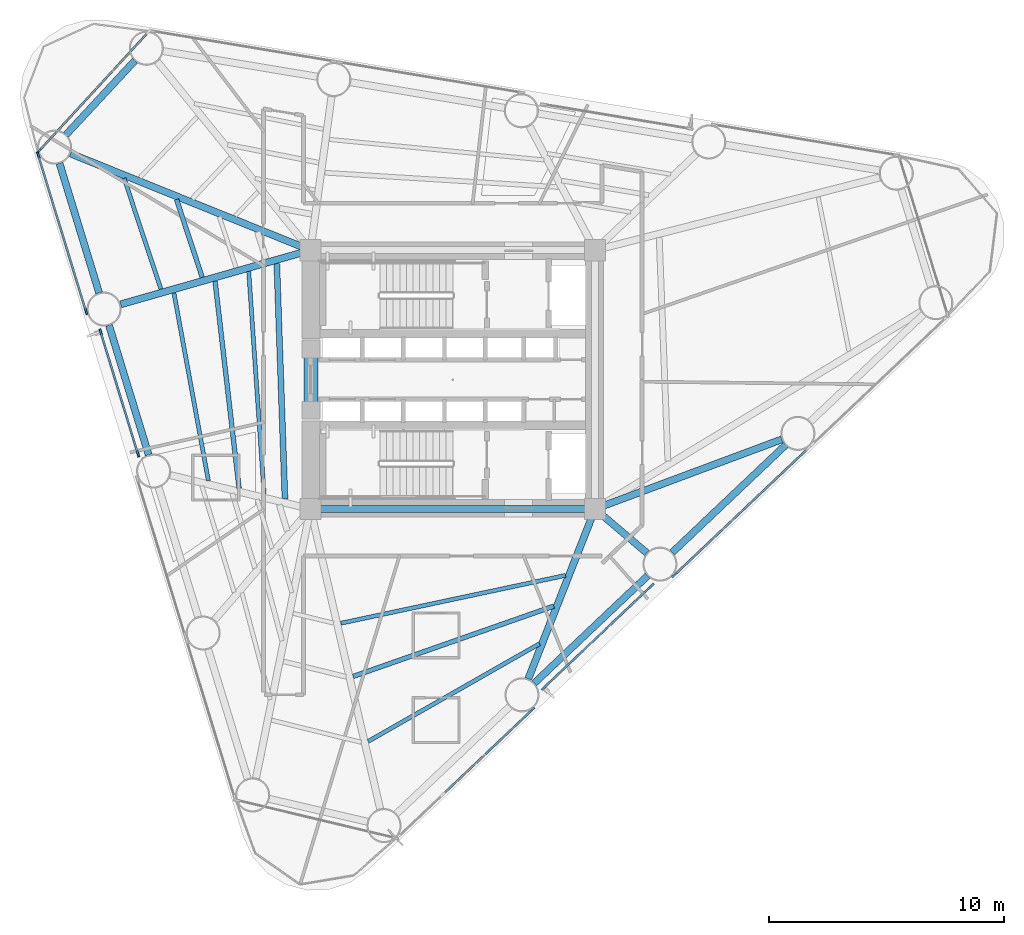
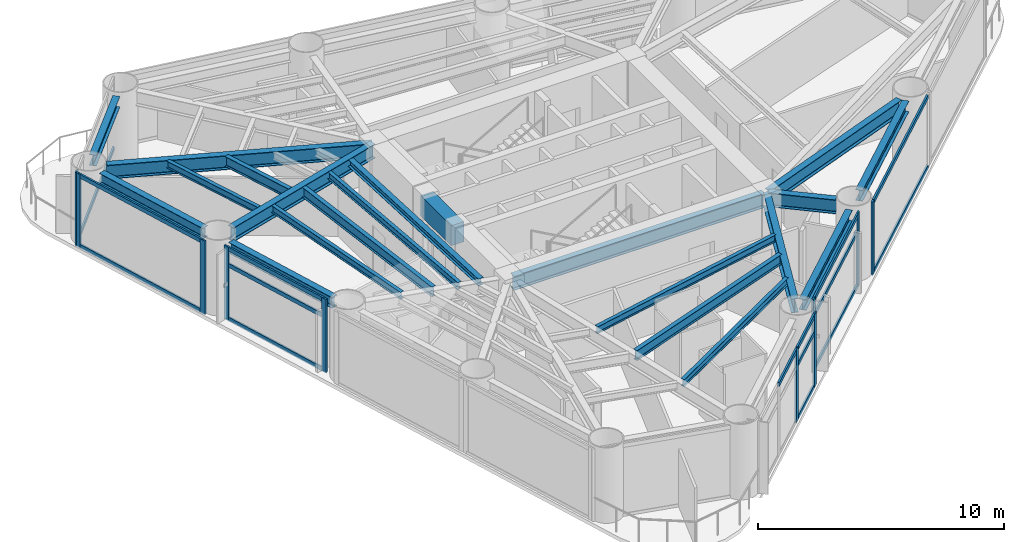
# One storey, part 2 of 10: 25 members, 21 beams, 6 elements without a shape of their own.
"""IFC4 building model written with IfcOpenShell, lengths in metres."""

from ifc_helpers import new_model, si_unit, direction, frame, origin, origin_2d, place, context, subcontext, project, spatial, rectangle, i_section, extrude, source, transform, mapped, material, layer, layer_set, material_profile, profile_set, type_object, element, aggregate, save


model = new_model("IFC4")

# Units and contexts
model_context = context("Model", 3, precision=1e-05, world=origin(), true_north=direction((0.0, 1.0)))
body_context = subcontext(model_context, "Body", "Model", "MODEL_VIEW")
ifc_project = project(units=[si_unit("LENGTHUNIT", "METRE"), si_unit("AREAUNIT", "SQUARE_METRE"), si_unit("VOLUMEUNIT", "CUBIC_METRE"), si_unit("PLANEANGLEUNIT", "RADIAN"), si_unit("MASSUNIT", "GRAM", prefix="KILO")], contexts=[model_context])

# Site, building, storey
site_placement = place(None, origin())
site = spatial("IfcSite", under=ifc_project, at=site_placement, CompositionType="ELEMENT")
building_placement = place(site_placement, origin())
building = spatial("IfcBuilding", under=site, at=building_placement, Name="Yunling Apex Tower", CompositionType="ELEMENT")
storey_placement = place(building_placement, frame((0.0, 0.0, 89.89990234375)))
storey = spatial("IfcBuildingStorey", under=building, at=storey_placement, Name="L22", CompositionType="ELEMENT", Elevation=89.89990234375)

# Beams
ifc_material_1 = material(Name="Concrete C60", Category="concrete")
ifc_material_profile_1 = material_profile(ifc_material_1, rectangle(XDim=0.60009765625, YDim=1.0, at=origin_2d()))
ifc_profile_set_1 = profile_set([ifc_material_profile_1], Name="Concrete C60")
beam_type_1 = type_object("IfcBeamType", Name="BC-CPL-1", PredefinedType="BEAM", material=ifc_profile_set_1)
shared_shape_1 = source(origin(), body_context, "Body", "SweptSolid", [
    extrude(rectangle(XDim=0.60009765625, YDim=1.0, at=origin_2d()), origin(), (0.0, 0.0, 1.0), 2.5),
])
beam_1_placement = place(storey_placement, frame((-6.02490234375, -1.25, 3.065185546875), z_axis=(0.0, 1.0, 0.0), x_axis=(-1.0, 0.0, 0.0)))
element("IfcBeam", 1, at=beam_1_placement, inside=storey, type_object=beam_type_1, Name="L22 Core West Portal Coupling Beam", PredefinedType="BEAM", context=body_context, shape_type="MappedRepresentation", body=[
    mapped(shared_shape_1, transform((0.0, 0.0, 0.0), scale=1.0)),
])
ifc_material_2 = material(Name="Steel Q355B", Category="steel")
ifc_material_profile_2 = material_profile(ifc_material_2, i_section(OverallWidth=0.300048828125, OverallDepth=0.699951171875, WebThickness=0.012939453125, FlangeThickness=0.02392578125, FilletRadius=0.02587890625, at=origin_2d()))
ifc_profile_set_2 = profile_set([ifc_material_profile_2], Name="Steel Q355B")
beam_type_2 = type_object("IfcBeamType", Name="BG-PRI-3", PredefinedType="USERDEFINED", material=ifc_profile_set_2)
shared_shape_2 = source(origin(), body_context, "Body", "SweptSolid", [
    extrude(i_section(OverallWidth=0.300048828125, OverallDepth=0.699951171875, WebThickness=0.012939453125, FlangeThickness=0.02392578125, FilletRadius=0.02587890625, at=origin_2d()), origin(), (0.0, 0.0, 1.0), 11.7998046875),
])
beam_2_placement = place(storey_placement, frame((-5.89990234375, -5.5, 3.215087890625), z_axis=(1.0, 0.0, 0.0), x_axis=(0.0, 1.0, 0.0)))
element("IfcBeam", 2, at=beam_2_placement, inside=storey, type_object=beam_type_2, Name="L22 Core Ring Tie Beam 1", ObjectType="GIRDER", PredefinedType="USERDEFINED", context=body_context, shape_type="MappedRepresentation", body=[
    mapped(shared_shape_2, transform((0.0, 0.0, 0.0), scale=1.0)),
])
ifc_material_profile_3 = material_profile(ifc_material_2, i_section(OverallWidth=0.300048828125, OverallDepth=0.5400390625, WebThickness=0.011962890625, FlangeThickness=0.02001953125, FilletRadius=0.02392578125, at=origin_2d()))
ifc_profile_set_3 = profile_set([ifc_material_profile_3], Name="Steel Q355B")
beam_type_3 = type_object("IfcBeamType", Name="BP-SPN-1", PredefinedType="SPANDREL", material=ifc_profile_set_3)
shared_shape_3 = source(origin(), body_context, "Body", "SweptSolid", [
    extrude(i_section(OverallWidth=0.300048828125, OverallDepth=0.5400390625, WebThickness=0.011962890625, FlangeThickness=0.02001953125, FilletRadius=0.02392578125, at=origin_2d()), origin(), (0.0, 0.0, 1.0), 6.6416015625),
])
for number, where, z_axis, x_axis, name in (
    (3, (3.465087890625, -12.90771484375, 3.295166015625), (0.725873473547, 0.687828249203, 0.0), (-0.687828249203, 0.725873473547, 0.0), "L22 Perimeter Spandrel Beam 2"),
    (4, (9.330078125, -7.35009765625, 3.295166015625), (0.72585608204, 0.687846602205, 0.0), (-0.687846602205, 0.72585608204, 0.0), "L22 Perimeter Spandrel Beam 3"),
):
    element("IfcBeam", number, at=place(storey_placement, frame(where, z_axis=z_axis, x_axis=x_axis)), inside=storey, type_object=beam_type_3, Name=name, PredefinedType="SPANDREL", context=body_context, shape_type="MappedRepresentation", body=[
        mapped(shared_shape_3, transform((0.0, 0.0, 0.0), scale=1.0)),
    ])
shared_shape_4 = source(origin(), body_context, "Body", "SweptSolid", [
    extrude(i_section(OverallWidth=0.300048828125, OverallDepth=0.5400390625, WebThickness=0.011962890625, FlangeThickness=0.02001953125, FilletRadius=0.02392578125, at=origin_2d()), origin(), (0.0, 0.0, 1.0), 4.296875),
])
beam_3_placement = place(storey_placement, frame((-13.513671875, 13.55810546875, 3.295166015625), z_axis=(-0.680634144105, -0.732623478929, 0.0), x_axis=(0.732623478929, -0.680634144105, 0.0)))
element("IfcBeam", 5, at=beam_3_placement, inside=storey, type_object=beam_type_3, Name="L22 Perimeter Spandrel Beam 10", PredefinedType="SPANDREL", context=body_context, shape_type="MappedRepresentation", body=[
    mapped(shared_shape_4, transform((0.0, 0.0, 0.0), scale=1.0)),
])
shared_shape_5 = source(origin(), body_context, "Body", "SweptSolid", [
    extrude(i_section(OverallWidth=0.300048828125, OverallDepth=0.5400390625, WebThickness=0.011962890625, FlangeThickness=0.02001953125, FilletRadius=0.02392578125, at=origin_2d()), origin(), (0.0, 0.0, 1.0), 5.76220703125),
])
for number, where, z_axis, x_axis, name in (
    (6, (-16.71728515625, 9.19580078125, 3.295166015625), (0.292346626925, -0.956312422656, 0.0), (0.956312422656, 0.292346626925, 0.0), "L22 Perimeter Spandrel Beam 11"),
    (7, (-14.6123046875, 2.31005859375, 3.295166015625), (0.292385374143, -0.956300576695, 0.0), (0.956300576695, 0.292385374143, 0.0), "L22 Perimeter Spandrel Beam 12"),
):
    element("IfcBeam", number, at=place(storey_placement, frame(where, z_axis=z_axis, x_axis=x_axis)), inside=storey, type_object=beam_type_3, Name=name, PredefinedType="SPANDREL", context=body_context, shape_type="MappedRepresentation", body=[
        mapped(shared_shape_5, transform((0.0, 0.0, 0.0), scale=1.0)),
    ])
shared_shape_6 = source(origin(), body_context, "Body", "SweptSolid", [
    extrude(i_section(OverallWidth=0.300048828125, OverallDepth=0.699951171875, WebThickness=0.012939453125, FlangeThickness=0.02392578125, FilletRadius=0.02587890625, at=origin_2d()), origin(), (0.0, 0.0, 1.0), 7.67822265625),
])
beam_4_placement = place(storey_placement, frame((3.21142578125, -12.72021484375, 3.215087890625), z_axis=(0.365885513893, 0.930659868439, 0.0), x_axis=(-0.930659868439, 0.365885513893, 0.0)))
element("IfcBeam", 8, at=beam_4_placement, inside=storey, type_object=beam_type_2, Name="L22 Radial Primary Girder R02", ObjectType="GIRDER", PredefinedType="USERDEFINED", context=body_context, shape_type="MappedRepresentation", body=[
    mapped(shared_shape_6, transform((0.0, 0.0, 0.0), scale=1.0)),
])
shared_shape_7 = source(origin(), body_context, "Body", "SweptSolid", [
    extrude(i_section(OverallWidth=0.300048828125, OverallDepth=0.699951171875, WebThickness=0.012939453125, FlangeThickness=0.02392578125, FilletRadius=0.02587890625, at=origin_2d()), origin(), (0.0, 0.0, 1.0), 2.80712890625),
])
beam_5_placement = place(storey_placement, frame((8.24951171875, -7.3701171875, 3.215087890625), z_axis=(-0.761816983267, 0.647792315489, 0.0), x_axis=(-0.647792315489, -0.761816983267, 0.0)))
element("IfcBeam", 9, at=beam_5_placement, inside=storey, type_object=beam_type_2, Name="L22 Radial Primary Girder R03", ObjectType="GIRDER", PredefinedType="USERDEFINED", context=body_context, shape_type="MappedRepresentation", body=[
    mapped(shared_shape_7, transform((0.0, 0.0, 0.0), scale=1.0)),
])
shared_shape_8 = source(origin(), body_context, "Body", "SweptSolid", [
    extrude(i_section(OverallWidth=0.300048828125, OverallDepth=0.699951171875, WebThickness=0.012939453125, FlangeThickness=0.02392578125, FilletRadius=0.02587890625, at=origin_2d()), origin(), (0.0, 0.0, 1.0), 8.388916015625),
])
beam_6_placement = place(storey_placement, frame((13.98583984375, -2.54296875, 3.215087890625), z_axis=(-0.937056723422, -0.349177171489, 0.0), x_axis=(0.349177171489, -0.937056723422, 0.0)))
element("IfcBeam", 10, at=beam_6_placement, inside=storey, type_object=beam_type_2, Name="L22 Radial Primary Girder R04", ObjectType="GIRDER", PredefinedType="USERDEFINED", context=body_context, shape_type="MappedRepresentation", body=[
    mapped(shared_shape_8, transform((0.0, 0.0, 0.0), scale=1.0)),
])
shared_shape_9 = source(origin(), body_context, "Body", "SweptSolid", [
    extrude(i_section(OverallWidth=0.300048828125, OverallDepth=0.699951171875, WebThickness=0.012939453125, FlangeThickness=0.02392578125, FilletRadius=0.02587890625, at=origin_2d()), origin(), (0.0, 0.0, 1.0), 10.91455078125),
])
beam_7_placement = place(storey_placement, frame((-16.247802734375, 9.609375, 3.215087890625), z_axis=(0.927520283233, -0.373772824309, 0.0), x_axis=(0.373772824309, 0.927520283233, 0.0)))
element("IfcBeam", 11, at=beam_7_placement, inside=storey, type_object=beam_type_2, Name="L22 Radial Primary Girder R11", ObjectType="GIRDER", PredefinedType="USERDEFINED", context=body_context, shape_type="MappedRepresentation", body=[
    mapped(shared_shape_9, transform((0.0, 0.0, 0.0), scale=1.0)),
])
shared_shape_10 = source(origin(), body_context, "Body", "SweptSolid", [
    extrude(i_section(OverallWidth=0.300048828125, OverallDepth=0.699951171875, WebThickness=0.012939453125, FlangeThickness=0.02392578125, FilletRadius=0.02587890625, at=origin_2d()), origin(), (0.0, 0.0, 1.0), 8.309326171875),
])
beam_8_placement = place(storey_placement, frame((-14.117431640625, 3.19873046875, 3.215087890625), z_axis=(0.961641387397, 0.274309755652, 0.0), x_axis=(-0.274309755652, 0.961641387397, 0.0)))
element("IfcBeam", 12, at=beam_8_placement, inside=storey, type_object=beam_type_2, Name="L22 Radial Primary Girder R12", ObjectType="GIRDER", PredefinedType="USERDEFINED", context=body_context, shape_type="MappedRepresentation", body=[
    mapped(shared_shape_10, transform((0.0, 0.0, 0.0), scale=1.0)),
])
ifc_material_profile_4 = material_profile(ifc_material_2, i_section(OverallWidth=0.199951171875, OverallDepth=0.5, WebThickness=0.010009765625, FlangeThickness=0.01611328125, FilletRadius=0.02001953125, at=origin_2d()))
ifc_profile_set_4 = profile_set([ifc_material_profile_4], Name="Steel Q355B")
beam_type_4 = type_object("IfcBeamType", Name="BS-SEC-2", PredefinedType="BEAM", material=ifc_profile_set_4)
shared_shape_11 = source(origin(), body_context, "Body", "SweptSolid", [
    extrude(i_section(OverallWidth=0.199951171875, OverallDepth=0.5, WebThickness=0.010009765625, FlangeThickness=0.01611328125, FilletRadius=0.02001953125, at=origin_2d()), origin(), (0.0, 0.0, 1.0), 9.03759765625),
])
beam_9_placement = place(storey_placement, frame((-4.23193359375, -12.619140625, 3.315185546875), z_axis=(0.943677540759, 0.330866588018, 0.0), x_axis=(-0.330866588018, 0.943677540759, 0.0)))
element("IfcBeam", 13, at=beam_9_placement, inside=storey, type_object=beam_type_4, Name="L22 Composite Floor Beam BS-1", PredefinedType="BEAM", context=body_context, shape_type="MappedRepresentation", body=[
    mapped(shared_shape_11, transform((0.0, 0.0, 0.0), scale=1.0)),
])
ifc_material_profile_5 = material_profile(ifc_material_2, i_section(OverallWidth=0.175048828125, OverallDepth=0.35009765625, WebThickness=0.007080078125, FlangeThickness=0.010986328125, FilletRadius=0.013916015625, at=origin_2d()))
ifc_profile_set_5 = profile_set([ifc_material_profile_5], Name="Steel Q355B")
beam_type_5 = type_object("IfcBeamType", Name="BJ-JST-1", PredefinedType="JOIST", material=ifc_profile_set_5)
shared_shape_12 = source(origin(), body_context, "Body", "SweptSolid", [
    extrude(i_section(OverallWidth=0.175048828125, OverallDepth=0.35009765625, WebThickness=0.007080078125, FlangeThickness=0.010986328125, FilletRadius=0.013916015625, at=origin_2d()), origin(), (0.0, 0.0, 1.0), 8.38671875),
])
beam_10_placement = place(storey_placement, frame((-3.59619140625, -15.3798828125, 3.39013671875), z_axis=(0.868817593772, 0.495132294192, 0.0), x_axis=(-0.495132294192, 0.868817593772, 0.0)))
element("IfcBeam", 14, at=beam_10_placement, inside=storey, type_object=beam_type_5, Name="L22 Composite Floor Joist BJ1-1", PredefinedType="JOIST", context=body_context, shape_type="MappedRepresentation", body=[
    mapped(shared_shape_12, transform((0.0, 0.0, 0.0), scale=1.0)),
])
shared_shape_13 = source(origin(), body_context, "Body", "SweptSolid", [
    extrude(i_section(OverallWidth=0.175048828125, OverallDepth=0.35009765625, WebThickness=0.007080078125, FlangeThickness=0.010986328125, FilletRadius=0.013916015625, at=origin_2d()), origin(), (0.0, 0.0, 1.0), 9.767578125),
])
beam_11_placement = place(storey_placement, frame((-4.756591796875, -10.3583984375, 3.39013671875), z_axis=(0.978052637888, 0.208357955263, 0.0), x_axis=(-0.208357955263, 0.978052637888, 0.0)))
element("IfcBeam", 15, at=beam_11_placement, inside=storey, type_object=beam_type_5, Name="L22 Composite Floor Joist BJ3-1", PredefinedType="JOIST", context=body_context, shape_type="MappedRepresentation", body=[
    mapped(shared_shape_13, transform((0.0, 0.0, 0.0), scale=1.0)),
])
shared_shape_14 = source(origin(), body_context, "Body", "SweptSolid", [
    extrude(i_section(OverallWidth=0.199951171875, OverallDepth=0.5, WebThickness=0.010009765625, FlangeThickness=0.01611328125, FilletRadius=0.02001953125, at=origin_2d()), origin(), (0.0, 0.0, 1.0), 3.484130859375),
])
beam_12_placement = place(storey_placement, frame((-11.7431640625, 7.662353515625, 3.315185546875), z_axis=(0.313220106306, -0.949680559455, 0.0), x_axis=(0.949680559455, 0.313220106306, 0.0)))
element("IfcBeam", 16, at=beam_12_placement, inside=storey, type_object=beam_type_4, Name="L22 Composite Floor Beam BS-11", PredefinedType="BEAM", context=body_context, shape_type="MappedRepresentation", body=[
    mapped(shared_shape_14, transform((0.0, 0.0, 0.0), scale=1.0)),
])
shared_shape_15 = source(origin(), body_context, "Body", "SweptSolid", [
    extrude(i_section(OverallWidth=0.175048828125, OverallDepth=0.35009765625, WebThickness=0.007080078125, FlangeThickness=0.010986328125, FilletRadius=0.013916015625, at=origin_2d()), origin(), (0.0, 0.0, 1.0), 4.959716796875),
])
beam_13_placement = place(storey_placement, frame((-13.97021484375, 8.56005859375, 3.39013671875), z_axis=(0.314588147489, -0.949228264149, 0.0), x_axis=(0.949228264149, 0.314588147489, 0.0)))
element("IfcBeam", 17, at=beam_13_placement, inside=storey, type_object=beam_type_5, Name="L22 Composite Floor Joist BJ1-11", PredefinedType="JOIST", context=body_context, shape_type="MappedRepresentation", body=[
    mapped(shared_shape_15, transform((0.0, 0.0, 0.0), scale=1.0)),
])
shared_shape_16 = source(origin(), body_context, "Body", "SweptSolid", [
    extrude(i_section(OverallWidth=0.199951171875, OverallDepth=0.5, WebThickness=0.010009765625, FlangeThickness=0.01611328125, FilletRadius=0.02001953125, at=origin_2d()), origin(), (0.0, 0.0, 1.0), 8.85009765625),
])
beam_14_placement = place(storey_placement, frame((-10.103759765625, 4.179443359375, 3.315185546875), z_axis=(0.115144483353, -0.993348754443, 0.0), x_axis=(0.993348754443, 0.115144483353, 0.0)))
element("IfcBeam", 18, at=beam_14_placement, inside=storey, type_object=beam_type_4, Name="L22 Composite Floor Beam BS-12", PredefinedType="BEAM", context=body_context, shape_type="MappedRepresentation", body=[
    mapped(shared_shape_16, transform((0.0, 0.0, 0.0), scale=1.0)),
])
shared_shape_17 = source(origin(), body_context, "Body", "SweptSolid", [
    extrude(i_section(OverallWidth=0.175048828125, OverallDepth=0.35009765625, WebThickness=0.007080078125, FlangeThickness=0.010986328125, FilletRadius=0.013916015625, at=origin_2d()), origin(), (0.0, 0.0, 1.0), 8.113525390625),
])
beam_15_placement = place(storey_placement, frame((-11.851318359375, 3.6796875, 3.39013671875), z_axis=(0.180333691295, -0.983605489912, 0.0), x_axis=(0.983605489912, 0.180333691295, 0.0)))
element("IfcBeam", 19, at=beam_15_placement, inside=storey, type_object=beam_type_5, Name="L22 Composite Floor Joist BJ1-12", PredefinedType="JOIST", context=body_context, shape_type="MappedRepresentation", body=[
    mapped(shared_shape_17, transform((0.0, 0.0, 0.0), scale=1.0)),
])
shared_shape_18 = source(origin(), body_context, "Body", "SweptSolid", [
    extrude(i_section(OverallWidth=0.175048828125, OverallDepth=0.35009765625, WebThickness=0.007080078125, FlangeThickness=0.010986328125, FilletRadius=0.013916015625, at=origin_2d()), origin(), (0.0, 0.0, 1.0), 9.478515625),
])
beam_16_placement = place(storey_placement, frame((-8.6728515625, 4.589111328125, 3.39013671875), z_axis=(0.068925846819, -0.997621785869, 0.0), x_axis=(0.997621785869, 0.068925846819, 0.0)))
element("IfcBeam", 20, at=beam_16_placement, inside=storey, type_object=beam_type_5, Name="L22 Composite Floor Joist BJ3-12", PredefinedType="JOIST", context=body_context, shape_type="MappedRepresentation", body=[
    mapped(shared_shape_18, transform((0.0, 0.0, 0.0), scale=1.0)),
])
ifc_material_profile_6 = material_profile(ifc_material_2, i_section(OverallWidth=0.25, OverallDepth=0.340087890625, WebThickness=0.009033203125, FlangeThickness=0.013916015625, FilletRadius=0.01806640625, at=origin_2d()))
ifc_profile_set_6 = profile_set([ifc_material_profile_6], Name="Steel Q355B")
beam_type_6 = type_object("IfcBeamType", Name="BJ-JST-2", PredefinedType="JOIST", material=ifc_profile_set_6)
shared_shape_19 = source(origin(), body_context, "Body", "SweptSolid", [
    extrude(i_section(OverallWidth=0.25, OverallDepth=0.340087890625, WebThickness=0.009033203125, FlangeThickness=0.013916015625, FilletRadius=0.01806640625, at=origin_2d()), origin(), (0.0, 0.0, 1.0), 10.016357421875),
])
beam_17_placement = place(storey_placement, frame((-7.479736328125, 4.9306640625, 3.39501953125), z_axis=(0.034684741857, -0.999398303322, 0.0), x_axis=(0.999398303322, 0.034684741857, 0.0)))
element("IfcBeam", 21, at=beam_17_placement, inside=storey, type_object=beam_type_6, Name="L22 Composite Floor Joist BJ2-12", PredefinedType="JOIST", context=body_context, shape_type="MappedRepresentation", body=[
    mapped(shared_shape_19, transform((0.0, 0.0, 0.0), scale=1.0)),
])

# Curtain wall, members
ifc_material_3 = material(Name="Bronze anodised aluminium", Category="aluminium")
ifc_layer = layer(ifc_material_3, 0.260009765625)
ifc_layer_set = layer_set([ifc_layer], Name="Bronze anodised aluminium")
curtain_wall_type = type_object("IfcCurtainWallType", Name="CW-SYS-2", PredefinedType="NOTDEFINED", material=ifc_layer_set)
curtain_wall_1_placement = place(storey_placement, origin())
curtain_wall_1 = element("IfcCurtainWall", 22, at=curtain_wall_1_placement, inside=storey, type_object=curtain_wall_type, Name="CW-L22-F1-B1", PredefinedType="NOTDEFINED")
ifc_material_profile_7 = material_profile(ifc_material_3, rectangle(XDim=0.0849609375, YDim=0.260009765625, at=origin_2d()))
ifc_profile_set_7 = profile_set([ifc_material_profile_7], Name="Bronze anodised aluminium")
member_type_1 = type_object("IfcMemberType", Name="CW-MUL-2", PredefinedType="MULLION", material=ifc_profile_set_7)
shared_shape_20 = source(origin(), body_context, "Body", "SweptSolid", [
    extrude(rectangle(XDim=0.0849609375, YDim=0.260009765625, at=origin_2d()), origin(), (0.0, 0.0, 1.0), 3.664794921875),
])
member_1_placement = place(storey_placement, frame((1.491943359375, -15.824951171875, -0.0498046875), z_axis=(0.0, 0.0, 1.0), x_axis=(-0.687861264918, 0.72584218686, 0.0)))
member_1 = element("IfcMember", 23, at=member_1_placement, type_object=member_type_1, Name="CW-SYS-2 mullion 3", PredefinedType="MULLION", context=body_context, shape_type="MappedRepresentation", body=[
    mapped(shared_shape_20, transform((0.0, 0.0, 0.0), scale=1.0)),
])
member_2_placement = place(storey_placement, frame((3.377197265625, -14.038330078125, -0.0498046875), z_axis=(0.0, 0.0, 1.0), x_axis=(-0.687861264918, 0.72584218686, 0.0)))
member_2 = element("IfcMember", 24, at=member_2_placement, type_object=member_type_1, Name="CW-SYS-2 mullion 4", PredefinedType="MULLION", context=body_context, shape_type="MappedRepresentation", body=[
    mapped(shared_shape_20, transform((0.0, 0.0, 0.0), scale=1.0)),
])

curtain_wall_2_placement = place(storey_placement, origin())
curtain_wall_2 = element("IfcCurtainWall", 25, at=curtain_wall_2_placement, inside=storey, type_object=curtain_wall_type, Name="CW-L22-F1-B2", PredefinedType="NOTDEFINED")
member_3_placement = place(storey_placement, frame((3.87646484375, -13.096923828125, -0.0498046875), z_axis=(0.0, 0.0, 1.0), x_axis=(-0.687844480924, 0.725858092234, 0.0)))
member_3 = element("IfcMember", 26, at=member_3_placement, type_object=member_type_1, Name="CW-SYS-2 mullion 1", PredefinedType="MULLION", context=body_context, shape_type="MappedRepresentation", body=[
    mapped(shared_shape_20, transform((0.0, 0.0, 0.0), scale=1.0)),
])
member_4_placement = place(storey_placement, frame((8.452880859375, -8.76025390625, -0.0498046875), z_axis=(0.0, 0.0, 1.0), x_axis=(-0.687844480924, 0.725858092234, 0.0)))
member_4 = element("IfcMember", 27, at=member_4_placement, type_object=member_type_1, Name="CW-SYS-2 mullion 2", PredefinedType="MULLION", context=body_context, shape_type="MappedRepresentation", body=[
    mapped(shared_shape_20, transform((0.0, 0.0, 0.0), scale=1.0)),
])

# Curtain wall, member
curtain_wall_3_placement = place(storey_placement, origin())
curtain_wall_3 = element("IfcCurtainWall", 28, at=curtain_wall_3_placement, inside=storey, type_object=curtain_wall_type, Name="CW-L22-F1-B3", PredefinedType="NOTDEFINED")
member_5_placement = place(storey_placement, frame((9.419921875, -8.312255859375, -0.0498046875), z_axis=(0.0, 0.0, 1.0), x_axis=(-0.687861264918, 0.72584218686, 0.0)))
member_5 = element("IfcMember", 29, at=member_5_placement, type_object=member_type_1, Name="CW-SYS-2 mullion 1", PredefinedType="MULLION", context=body_context, shape_type="MappedRepresentation", body=[
    mapped(shared_shape_20, transform((0.0, 0.0, 0.0), scale=1.0)),
])

curtain_wall_4_placement = place(storey_placement, origin())
curtain_wall_4 = element("IfcCurtainWall", 30, at=curtain_wall_4_placement, inside=storey, type_object=curtain_wall_type, Name="CW-L22-CRN2", PredefinedType="NOTDEFINED")
member_6_placement = place(storey_placement, frame((-17.6064453125, 9.6982421875, -0.0498046875), z_axis=(0.0, 0.0, 1.0), x_axis=(0.736184624933, -0.676780760669, 0.0)))
member_6 = element("IfcMember", 31, at=member_6_placement, type_object=member_type_1, Name="CW-SYS-2 mullion 2", PredefinedType="MULLION", context=body_context, shape_type="MappedRepresentation", body=[
    mapped(shared_shape_20, transform((0.0, 0.0, 0.0), scale=1.0)),
])

# Curtain wall, members
curtain_wall_5_placement = place(storey_placement, origin())
curtain_wall_5 = element("IfcCurtainWall", 32, at=curtain_wall_5_placement, inside=storey, type_object=curtain_wall_type, Name="CW-L22-F3-B1", PredefinedType="NOTDEFINED")
member_7_placement = place(storey_placement, frame((-17.61865234375, 9.5439453125, -0.0498046875), z_axis=(0.0, 0.0, 1.0), x_axis=(0.956304476342, 0.292372619321, 0.0)))
member_7 = element("IfcMember", 33, at=member_7_placement, type_object=member_type_1, Name="CW-SYS-2 mullion 1", PredefinedType="MULLION", context=body_context, shape_type="MappedRepresentation", body=[
    mapped(shared_shape_20, transform((0.0, 0.0, 0.0), scale=1.0)),
])
member_8_placement = place(storey_placement, frame((-15.5849609375, 2.892578125, -0.0498046875), z_axis=(0.0, 0.0, 1.0), x_axis=(0.956304476342, 0.292372619321, 0.0)))
member_8 = element("IfcMember", 34, at=member_8_placement, type_object=member_type_1, Name="CW-SYS-2 mullion 2", PredefinedType="MULLION", context=body_context, shape_type="MappedRepresentation", body=[
    mapped(shared_shape_20, transform((0.0, 0.0, 0.0), scale=1.0)),
])

curtain_wall_6_placement = place(storey_placement, origin())
curtain_wall_6 = element("IfcCurtainWall", 35, at=curtain_wall_6_placement, inside=storey, type_object=curtain_wall_type, Name="CW-L22-F3-B2", PredefinedType="NOTDEFINED")
member_9_placement = place(storey_placement, frame((-14.964599609375, 2.026123046875, -0.0498046875), z_axis=(0.0, 0.0, 1.0), x_axis=(0.956307182672, 0.292363767199, 0.0)))
member_9 = element("IfcMember", 36, at=member_9_placement, type_object=member_type_1, Name="CW-SYS-2 mullion 1", PredefinedType="MULLION", context=body_context, shape_type="MappedRepresentation", body=[
    mapped(shared_shape_20, transform((0.0, 0.0, 0.0), scale=1.0)),
])
member_10_placement = place(storey_placement, frame((-13.37841796875, -3.162109375, -0.0498046875), z_axis=(0.0, 0.0, 1.0), x_axis=(0.956307182672, 0.292363767199, 0.0)))
member_10 = element("IfcMember", 37, at=member_10_placement, type_object=member_type_1, Name="CW-SYS-2 mullion 2", PredefinedType="MULLION", context=body_context, shape_type="MappedRepresentation", body=[
    mapped(shared_shape_20, transform((0.0, 0.0, 0.0), scale=1.0)),
])

# Member
ifc_material_profile_8 = material_profile(ifc_material_3, rectangle(XDim=0.0849609375, YDim=0.199951171875, at=origin_2d()))
ifc_profile_set_8 = profile_set([ifc_material_profile_8], Name="Bronze anodised aluminium")
member_type_2 = type_object("IfcMemberType", Name="CW-TRN-2", PredefinedType="USERDEFINED", material=ifc_profile_set_8)
shared_shape_21 = source(origin(), body_context, "Body", "SweptSolid", [
    extrude(rectangle(XDim=0.0849609375, YDim=0.199951171875, at=origin_2d()), origin(), (0.0, 0.0, 1.0), 2.563232421875),
])
member_11_placement = place(storey_placement, frame((-0.396484375, -17.614501953125, 3.522705078125), z_axis=(0.725852566003, 0.687850312515, 0.0), x_axis=(-0.687850312515, 0.725852566003, 0.0)))
member_11 = element("IfcMember", 38, at=member_11_placement, type_object=member_type_2, Name="CW-SYS-2 transom 2.3", ObjectType="TRANSOM", PredefinedType="USERDEFINED", context=body_context, shape_type="MappedRepresentation", body=[
    mapped(shared_shape_21, transform((0.0, 0.0, 0.0), scale=1.0)),
])

shared_shape_22 = source(origin(), body_context, "Body", "SweptSolid", [
    extrude(rectangle(XDim=0.0849609375, YDim=0.199951171875, at=origin_2d()), origin(), (0.0, 0.0, 1.0), 2.520751953125),
])
member_12_placement = place(storey_placement, frame((1.51953125, -15.798583984375, 0.04248046875), z_axis=(0.725881421947, 0.687819861063, 0.0), x_axis=(-0.687819861063, 0.725881421947, 0.0)))
member_12 = element("IfcMember", 39, at=member_12_placement, type_object=member_type_2, Name="CW-SYS-2 transom 3.1", ObjectType="TRANSOM", PredefinedType="USERDEFINED", context=body_context, shape_type="MappedRepresentation", body=[
    mapped(shared_shape_22, transform((0.0, 0.0, 0.0), scale=1.0)),
])

member_13_placement = place(storey_placement, frame((1.51953125, -15.798583984375, 2.715087890625), z_axis=(0.725881421947, 0.687819861063, 0.0), x_axis=(-0.687819861063, 0.725881421947, 0.0)))
member_13 = element("IfcMember", 40, at=member_13_placement, type_object=member_type_2, Name="CW-SYS-2 transom 3.2", ObjectType="TRANSOM", PredefinedType="USERDEFINED", context=body_context, shape_type="MappedRepresentation", body=[
    mapped(shared_shape_22, transform((0.0, 0.0, 0.0), scale=1.0)),
])

member_14_placement = place(storey_placement, frame((1.51953125, -15.798583984375, 3.522705078125), z_axis=(0.725881421947, 0.687819861063, 0.0), x_axis=(-0.687819861063, 0.725881421947, 0.0)))
member_14 = element("IfcMember", 41, at=member_14_placement, type_object=member_type_2, Name="CW-SYS-2 transom 3.3", ObjectType="TRANSOM", PredefinedType="USERDEFINED", context=body_context, shape_type="MappedRepresentation", body=[
    mapped(shared_shape_22, transform((0.0, 0.0, 0.0), scale=1.0)),
])

aggregate(curtain_wall_1, [member_1, member_2, member_11, member_12, member_13, member_14])

shared_shape_23 = source(origin(), body_context, "Body", "SweptSolid", [
    extrude(rectangle(XDim=0.0849609375, YDim=0.199951171875, at=origin_2d()), origin(), (0.0, 0.0, 1.0), 6.228271484375),
])
member_15_placement = place(storey_placement, frame((3.904296875, -13.070556640625, 0.04248046875), z_axis=(0.725843490466, 0.687859889329, 0.0), x_axis=(-0.687859889329, 0.725843490466, 0.0)))
member_15 = element("IfcMember", 42, at=member_15_placement, type_object=member_type_2, Name="CW-SYS-2 transom 1.1", ObjectType="TRANSOM", PredefinedType="USERDEFINED", context=body_context, shape_type="MappedRepresentation", body=[
    mapped(shared_shape_23, transform((0.0, 0.0, 0.0), scale=1.0)),
])

member_16_placement = place(storey_placement, frame((3.904296875, -13.070556640625, 2.715087890625), z_axis=(0.725843490466, 0.687859889329, 0.0), x_axis=(-0.687859889329, 0.725843490466, 0.0)))
member_16 = element("IfcMember", 43, at=member_16_placement, type_object=member_type_2, Name="CW-SYS-2 transom 1.2", ObjectType="TRANSOM", PredefinedType="USERDEFINED", context=body_context, shape_type="MappedRepresentation", body=[
    mapped(shared_shape_23, transform((0.0, 0.0, 0.0), scale=1.0)),
])

member_17_placement = place(storey_placement, frame((3.904296875, -13.070556640625, 3.522705078125), z_axis=(0.725843490466, 0.687859889329, 0.0), x_axis=(-0.687859889329, 0.725843490466, 0.0)))
member_17 = element("IfcMember", 44, at=member_17_placement, type_object=member_type_2, Name="CW-SYS-2 transom 1.3", ObjectType="TRANSOM", PredefinedType="USERDEFINED", context=body_context, shape_type="MappedRepresentation", body=[
    mapped(shared_shape_23, transform((0.0, 0.0, 0.0), scale=1.0)),
])

aggregate(curtain_wall_2, [member_3, member_4, member_15, member_16, member_17])

shared_shape_24 = source(origin(), body_context, "Body", "SweptSolid", [
    extrude(rectangle(XDim=0.0849609375, YDim=0.199951171875, at=origin_2d()), origin(), (0.0, 0.0, 1.0), 7.75830078125),
])
member_18_placement = place(storey_placement, frame((9.447509765625, -8.285888671875, 0.04248046875), z_axis=(0.725858408627, 0.687844147046, 0.0), x_axis=(-0.687844147046, 0.725858408627, 0.0)))
member_18 = element("IfcMember", 45, at=member_18_placement, type_object=member_type_2, Name="CW-SYS-2 transom 1.1", ObjectType="TRANSOM", PredefinedType="USERDEFINED", context=body_context, shape_type="MappedRepresentation", body=[
    mapped(shared_shape_24, transform((0.0, 0.0, 0.0), scale=1.0)),
])

member_19_placement = place(storey_placement, frame((9.447509765625, -8.285888671875, 3.522705078125), z_axis=(0.725858408627, 0.687844147046, 0.0), x_axis=(-0.687844147046, 0.725858408627, 0.0)))
member_19 = element("IfcMember", 46, at=member_19_placement, type_object=member_type_2, Name="CW-SYS-2 transom 1.2", ObjectType="TRANSOM", PredefinedType="USERDEFINED", context=body_context, shape_type="MappedRepresentation", body=[
    mapped(shared_shape_24, transform((0.0, 0.0, 0.0), scale=1.0)),
])

aggregate(curtain_wall_3, [member_5, member_18, member_19])

shared_shape_25 = source(origin(), body_context, "Body", "SweptSolid", [
    extrude(rectangle(XDim=0.0849609375, YDim=0.199951171875, at=origin_2d()), origin(), (0.0, 0.0, 1.0), 6.831298828125),
])
member_20_placement = place(storey_placement, frame((-12.957275390625, 14.755615234375, 0.04248046875), z_axis=(-0.676783953504, -0.73618168972, 0.0), x_axis=(0.73618168972, -0.676783953504, 0.0)))
member_20 = element("IfcMember", 47, at=member_20_placement, type_object=member_type_2, Name="CW-SYS-2 transom 1.1", ObjectType="TRANSOM", PredefinedType="USERDEFINED", context=body_context, shape_type="MappedRepresentation", body=[
    mapped(shared_shape_25, transform((0.0, 0.0, 0.0), scale=1.0)),
])

aggregate(curtain_wall_4, [member_6, member_20])

shared_shape_26 = source(origin(), body_context, "Body", "SweptSolid", [
    extrude(rectangle(XDim=0.0849609375, YDim=0.199951171875, at=origin_2d()), origin(), (0.0, 0.0, 1.0), 6.878662109375),
])
member_21_placement = place(storey_placement, frame((-17.607421875, 9.50732421875, 0.04248046875), z_axis=(0.29238444517, -0.956300860725, 0.0), x_axis=(0.956300860725, 0.29238444517, 0.0)))
member_21 = element("IfcMember", 48, at=member_21_placement, type_object=member_type_2, Name="CW-SYS-2 transom 1.1", ObjectType="TRANSOM", PredefinedType="USERDEFINED", context=body_context, shape_type="MappedRepresentation", body=[
    mapped(shared_shape_26, transform((0.0, 0.0, 0.0), scale=1.0)),
])

member_22_placement = place(storey_placement, frame((-17.607421875, 9.50732421875, 3.522705078125), z_axis=(0.29238444517, -0.956300860725, 0.0), x_axis=(0.956300860725, 0.29238444517, 0.0)))
member_22 = element("IfcMember", 49, at=member_22_placement, type_object=member_type_2, Name="CW-SYS-2 transom 1.2", ObjectType="TRANSOM", PredefinedType="USERDEFINED", context=body_context, shape_type="MappedRepresentation", body=[
    mapped(shared_shape_26, transform((0.0, 0.0, 0.0), scale=1.0)),
])

aggregate(curtain_wall_5, [member_7, member_8, member_21, member_22])

shared_shape_27 = source(origin(), body_context, "Body", "SweptSolid", [
    extrude(rectangle(XDim=0.0849609375, YDim=0.199951171875, at=origin_2d()), origin(), (0.0, 0.0, 1.0), 5.3486328125),
])
member_23_placement = place(storey_placement, frame((-14.953369140625, 1.989501953125, 0.04248046875), z_axis=(0.292356530711, -0.956309394992, 0.0), x_axis=(0.956309394992, 0.292356530711, 0.0)))
member_23 = element("IfcMember", 50, at=member_23_placement, type_object=member_type_2, Name="CW-SYS-2 transom 1.1", ObjectType="TRANSOM", PredefinedType="USERDEFINED", context=body_context, shape_type="MappedRepresentation", body=[
    mapped(shared_shape_27, transform((0.0, 0.0, 0.0), scale=1.0)),
])

member_24_placement = place(storey_placement, frame((-14.953369140625, 1.989501953125, 2.715087890625), z_axis=(0.292356530711, -0.956309394992, 0.0), x_axis=(0.956309394992, 0.292356530711, 0.0)))
member_24 = element("IfcMember", 51, at=member_24_placement, type_object=member_type_2, Name="CW-SYS-2 transom 1.2", ObjectType="TRANSOM", PredefinedType="USERDEFINED", context=body_context, shape_type="MappedRepresentation", body=[
    mapped(shared_shape_27, transform((0.0, 0.0, 0.0), scale=1.0)),
])

member_25_placement = place(storey_placement, frame((-14.953369140625, 1.989501953125, 3.522705078125), z_axis=(0.292356530711, -0.956309394992, 0.0), x_axis=(0.956309394992, 0.292356530711, 0.0)))
member_25 = element("IfcMember", 52, at=member_25_placement, type_object=member_type_2, Name="CW-SYS-2 transom 1.3", ObjectType="TRANSOM", PredefinedType="USERDEFINED", context=body_context, shape_type="MappedRepresentation", body=[
    mapped(shared_shape_27, transform((0.0, 0.0, 0.0), scale=1.0)),
])

aggregate(curtain_wall_6, [member_9, member_10, member_23, member_24, member_25])

save(model, "model.ifc")
